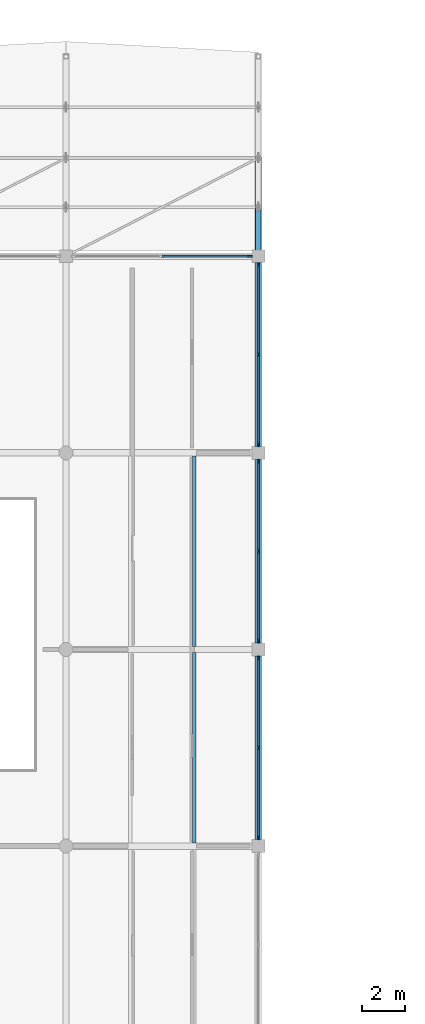
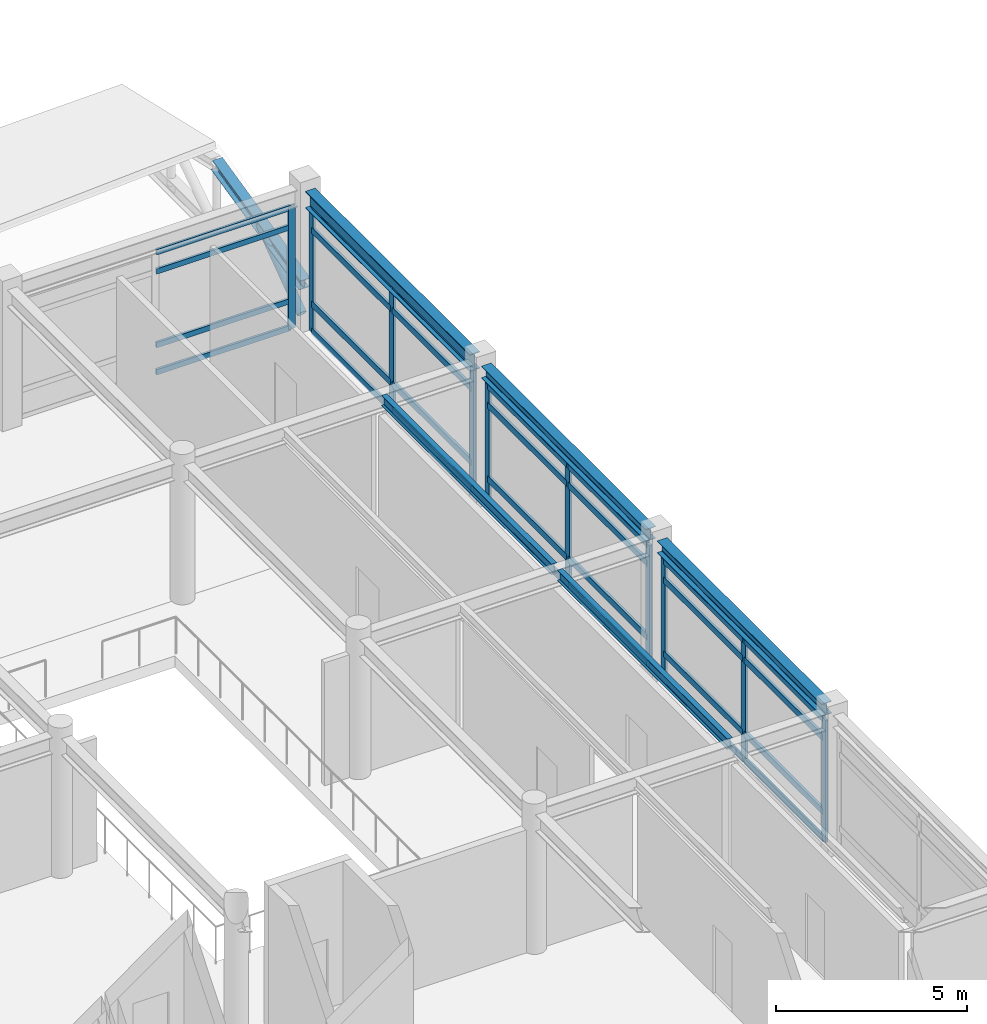
# One storey, part 26 of 61: 40 members, 5 beams, 4 elements without a shape of their own.
"""IFC4 building model written with IfcOpenShell, lengths in metres."""

from ifc_helpers import new_model, si_unit, direction, frame, origin, origin_2d, place, context, subcontext, project, spatial, rectangle, hollow_circle, i_section, extrude, material, material_profile, profile_set, type_object, element, aggregate, save


model = new_model("IFC4")

# Units and contexts
model_context = context("Model", 3, precision=1e-05, world=origin(), true_north=direction((0.0, 1.0)))
body_context = subcontext(model_context, "Body", "Model", "MODEL_VIEW")
ifc_project = project(units=[si_unit("LENGTHUNIT", "METRE"), si_unit("AREAUNIT", "SQUARE_METRE"), si_unit("VOLUMEUNIT", "CUBIC_METRE"), si_unit("PLANEANGLEUNIT", "RADIAN"), si_unit("MASSUNIT", "GRAM", prefix="KILO")], contexts=[model_context])

# Site, building, storey
site_placement = place(None, origin())
site = spatial("IfcSite", under=ifc_project, at=site_placement, CompositionType="ELEMENT")
building_placement = place(site_placement, origin())
building = spatial("IfcBuilding", under=site, at=building_placement, Name="Bozkorgan Art Gallery", CompositionType="ELEMENT")
storey_placement = place(building_placement, frame((0.0, 0.0, 10.199951171875)))
storey = spatial("IfcBuildingStorey", under=building, at=storey_placement, Name="L02", CompositionType="ELEMENT", Elevation=10.199951171875)

# Beams
ifc_material_1 = material(Name="Steel S355J2", Category="steel")
ifc_material_profile_1 = material_profile(ifc_material_1, i_section(OverallWidth=0.300048828125, OverallDepth=0.5400390625, WebThickness=0.012451171875, FlangeThickness=0.02392578125, FilletRadius=0.027099609375, at=origin_2d()), Name="HEA 550")
ifc_profile_set_1 = profile_set([ifc_material_profile_1], Name="Steel S355J2")
beam_type_1 = type_object("IfcBeamType", Name="BEAM-BM-35", PredefinedType="BEAM", material=ifc_profile_set_1)
beam_1_placement = place(storey_placement, frame((101.0, 84.699951171875, 4.2099609375), z_axis=(0.0, 1.0, 0.0), x_axis=(-1.0, 0.0, 0.0)))
element("IfcBeam", 1, at=beam_1_placement, inside=storey, type_object=beam_type_1, Name="V4 L02 beam Y (101, 84.4-93.6)", PredefinedType="BEAM", context=body_context, shape_type="SweptSolid", body=[
    extrude(i_section(OverallWidth=0.300048828125, OverallDepth=0.5400390625, WebThickness=0.012451171875, FlangeThickness=0.02392578125, FilletRadius=0.027099609375, at=origin_2d()), origin(), (0.0, 0.0, 1.0), 8.60009765625),
])
ifc_material_profile_2 = material_profile(ifc_material_1, i_section(OverallWidth=0.159912109375, OverallDepth=0.330078125, WebThickness=0.007568359375, FlangeThickness=0.011474609375, FilletRadius=0.01806640625, at=origin_2d()), Name="IPE 330")
ifc_profile_set_2 = profile_set([ifc_material_profile_2], Name="Steel S355J2")
beam_type_2 = type_object("IfcBeamType", Name="BEAM-JS-33", PredefinedType="JOIST", material=ifc_profile_set_2)
beam_2_placement = place(storey_placement, frame((98.0, 66.14990234375, 4.31494140625), z_axis=(0.0, 1.0, 0.0), x_axis=(-1.0, 0.0, 0.0)))
element("IfcBeam", 2, at=beam_2_placement, inside=storey, type_object=beam_type_2, Name="V4 L02 secondary joist (92-101, 66.0-75.2) #2", PredefinedType="JOIST", context=body_context, shape_type="SweptSolid", body=[
    extrude(i_section(OverallWidth=0.159912109375, OverallDepth=0.330078125, WebThickness=0.007568359375, FlangeThickness=0.011474609375, FilletRadius=0.01806640625, at=origin_2d()), origin(), (0.0, 0.0, 1.0), 8.900146484375),
])
beam_3_placement = place(storey_placement, frame((98.0, 75.35009765625, 4.31494140625), z_axis=(0.0, 1.0, 0.0), x_axis=(-1.0, 0.0, 0.0)))
element("IfcBeam", 3, at=beam_3_placement, inside=storey, type_object=beam_type_2, Name="V4 L02 secondary joist (92-101, 75.2-84.4) #2", PredefinedType="JOIST", context=body_context, shape_type="SweptSolid", body=[
    extrude(i_section(OverallWidth=0.159912109375, OverallDepth=0.330078125, WebThickness=0.007568359375, FlangeThickness=0.011474609375, FilletRadius=0.01806640625, at=origin_2d()), origin(), (0.0, 0.0, 1.0), 8.89990234375),
])
ifc_material_profile_3 = material_profile(ifc_material_1, i_section(OverallWidth=0.300048828125, OverallDepth=0.389892578125, WebThickness=0.010986328125, FlangeThickness=0.01904296875, FilletRadius=0.027099609375, at=origin_2d()), Name="HEA 400")
ifc_profile_set_3 = profile_set([ifc_material_profile_3], Name="Steel S355J2")
beam_type_3 = type_object("IfcBeamType", Name="BEAM-SP-65", PredefinedType="SPANDREL", material=ifc_profile_set_3)
beam_4_placement = place(storey_placement, frame((101.0, 66.300048828125, 4.28515625), z_axis=(0.0, 1.0, 0.0), x_axis=(-1.0, 0.0, 0.0)))
element("IfcBeam", 4, at=beam_4_placement, inside=storey, type_object=beam_type_3, Name="V4 L02 spandrel Y (101, 66.0-75.2)", PredefinedType="SPANDREL", context=body_context, shape_type="SweptSolid", body=[
    extrude(i_section(OverallWidth=0.300048828125, OverallDepth=0.389892578125, WebThickness=0.010986328125, FlangeThickness=0.01904296875, FilletRadius=0.027099609375, at=origin_2d()), origin(), (0.0, 0.0, 1.0), 8.599853515625),
])
beam_5_placement = place(storey_placement, frame((101.0, 75.5, 4.28515625), z_axis=(0.0, 1.0, 0.0), x_axis=(-1.0, 0.0, 0.0)))
element("IfcBeam", 5, at=beam_5_placement, inside=storey, type_object=beam_type_3, Name="V4 L02 spandrel Y (101, 75.2-84.4)", PredefinedType="SPANDREL", context=body_context, shape_type="SweptSolid", body=[
    extrude(i_section(OverallWidth=0.300048828125, OverallDepth=0.389892578125, WebThickness=0.010986328125, FlangeThickness=0.01904296875, FilletRadius=0.027099609375, at=origin_2d()), origin(), (0.0, 0.0, 1.0), 8.60009765625),
])

# Curtain wall, member
ifc_material_2 = material(Name="Anodised Bronze Aluminium", Category="aluminium")
curtain_wall_type_1 = type_object("IfcCurtainWallType", Name="CW-CW-65", PredefinedType="NOTDEFINED", material=ifc_material_2)
curtain_wall_1_placement = place(storey_placement, origin())
curtain_wall_1 = element("IfcCurtainWall", 6, at=curtain_wall_1_placement, inside=storey, type_object=curtain_wall_type_1, Name="L02 unitised curtain wall CW-V4-L02-1N-06", PredefinedType="NOTDEFINED")
ifc_material_profile_4 = material_profile(ifc_material_2, rectangle(XDim=0.074951171875, YDim=0.219970703125, at=origin_2d()), Name="ALU MULLION 75x220")
ifc_profile_set_4 = profile_set([ifc_material_profile_4], Name="Anodised Bronze Aluminium")
member_type_1 = type_object("IfcMemberType", Name="CWM-02", PredefinedType="MULLION", material=ifc_profile_set_4)
member_1_placement = place(storey_placement, frame((100.597412109375, 93.60009765625, 0.02001953125), z_axis=(0.0, 0.0, 1.0), x_axis=(0.0, 1.0, 0.0)))
member_1 = element("IfcMember", 7, at=member_1_placement, type_object=member_type_1, Name="CW-65 mullion 3", PredefinedType="MULLION", context=body_context, shape_type="SweptSolid", body=[
    extrude(rectangle(XDim=0.074951171875, YDim=0.219970703125, at=origin_2d()), origin(), (0.0, 0.0, 1.0), 3.905029296875),
])

# Curtain wall, members
curtain_wall_type_2 = type_object("IfcCurtainWallType", Name="CW-CW-99", PredefinedType="NOTDEFINED", material=ifc_material_2)
curtain_wall_2_placement = place(storey_placement, origin())
curtain_wall_2 = element("IfcCurtainWall", 8, at=curtain_wall_2_placement, inside=storey, type_object=curtain_wall_type_2, Name="L02 unitised curtain wall CW-V4-L02-1E-14", PredefinedType="NOTDEFINED")
member_2_placement = place(storey_placement, frame((101.0, 66.402587890625, 0.02001953125), z_axis=(0.0, 0.0, 1.0), x_axis=(-1.0, 0.0, 0.0)))
member_2 = element("IfcMember", 9, at=member_2_placement, type_object=member_type_1, Name="CW-99 mullion 1", PredefinedType="MULLION", context=body_context, shape_type="SweptSolid", body=[
    extrude(rectangle(XDim=0.074951171875, YDim=0.219970703125, at=origin_2d()), origin(), (0.0, 0.0, 1.0), 3.905029296875),
])
member_3_placement = place(storey_placement, frame((101.0, 70.60009765625, 0.02001953125), z_axis=(0.0, 0.0, 1.0), x_axis=(-1.0, 0.0, 0.0)))
member_3 = element("IfcMember", 10, at=member_3_placement, type_object=member_type_1, Name="CW-99 mullion 2", PredefinedType="MULLION", context=body_context, shape_type="SweptSolid", body=[
    extrude(rectangle(XDim=0.074951171875, YDim=0.219970703125, at=origin_2d()), origin(), (0.0, 0.0, 1.0), 3.905029296875),
])
member_4_placement = place(storey_placement, frame((101.0, 74.797607421875, 0.02001953125), z_axis=(0.0, 0.0, 1.0), x_axis=(-1.0, 0.0, 0.0)))
member_4 = element("IfcMember", 11, at=member_4_placement, type_object=member_type_1, Name="CW-99 mullion 3", PredefinedType="MULLION", context=body_context, shape_type="SweptSolid", body=[
    extrude(rectangle(XDim=0.074951171875, YDim=0.219970703125, at=origin_2d()), origin(), (0.0, 0.0, 1.0), 3.905029296875),
])

curtain_wall_3_placement = place(storey_placement, origin())
curtain_wall_3 = element("IfcCurtainWall", 12, at=curtain_wall_3_placement, inside=storey, type_object=curtain_wall_type_2, Name="L02 unitised curtain wall CW-V4-L02-1E-16", PredefinedType="NOTDEFINED")
member_5_placement = place(storey_placement, frame((101.0, 75.6025390625, 0.02001953125), z_axis=(0.0, 0.0, 1.0), x_axis=(-1.0, 0.0, 0.0)))
member_5 = element("IfcMember", 13, at=member_5_placement, type_object=member_type_1, Name="CW-99 mullion 1", PredefinedType="MULLION", context=body_context, shape_type="SweptSolid", body=[
    extrude(rectangle(XDim=0.074951171875, YDim=0.219970703125, at=origin_2d()), origin(), (0.0, 0.0, 1.0), 3.905029296875),
])
member_6_placement = place(storey_placement, frame((101.0, 79.800048828125, 0.02001953125), z_axis=(0.0, 0.0, 1.0), x_axis=(-1.0, 0.0, 0.0)))
member_6 = element("IfcMember", 14, at=member_6_placement, type_object=member_type_1, Name="CW-99 mullion 2", PredefinedType="MULLION", context=body_context, shape_type="SweptSolid", body=[
    extrude(rectangle(XDim=0.074951171875, YDim=0.219970703125, at=origin_2d()), origin(), (0.0, 0.0, 1.0), 3.905029296875),
])
member_7_placement = place(storey_placement, frame((101.0, 83.99755859375, 0.02001953125), z_axis=(0.0, 0.0, 1.0), x_axis=(-1.0, 0.0, 0.0)))
member_7 = element("IfcMember", 15, at=member_7_placement, type_object=member_type_1, Name="CW-99 mullion 3", PredefinedType="MULLION", context=body_context, shape_type="SweptSolid", body=[
    extrude(rectangle(XDim=0.074951171875, YDim=0.219970703125, at=origin_2d()), origin(), (0.0, 0.0, 1.0), 3.905029296875),
])

curtain_wall_4_placement = place(storey_placement, origin())
curtain_wall_4 = element("IfcCurtainWall", 16, at=curtain_wall_4_placement, inside=storey, type_object=curtain_wall_type_2, Name="L02 unitised curtain wall CW-V4-L02-1E-18", PredefinedType="NOTDEFINED")
member_8_placement = place(storey_placement, frame((101.0, 84.802490234375, 0.02001953125), z_axis=(0.0, 0.0, 1.0), x_axis=(-1.0, 0.0, 0.0)))
member_8 = element("IfcMember", 17, at=member_8_placement, type_object=member_type_1, Name="CW-99 mullion 1", PredefinedType="MULLION", context=body_context, shape_type="SweptSolid", body=[
    extrude(rectangle(XDim=0.074951171875, YDim=0.219970703125, at=origin_2d()), origin(), (0.0, 0.0, 1.0), 3.905029296875),
])
member_9_placement = place(storey_placement, frame((101.0, 89.0, 0.02001953125), z_axis=(0.0, 0.0, 1.0), x_axis=(-1.0, 0.0, 0.0)))
member_9 = element("IfcMember", 18, at=member_9_placement, type_object=member_type_1, Name="CW-99 mullion 2", PredefinedType="MULLION", context=body_context, shape_type="SweptSolid", body=[
    extrude(rectangle(XDim=0.074951171875, YDim=0.219970703125, at=origin_2d()), origin(), (0.0, 0.0, 1.0), 3.905029296875),
])
member_10_placement = place(storey_placement, frame((101.0, 93.197509765625, 0.02001953125), z_axis=(0.0, 0.0, 1.0), x_axis=(-1.0, 0.0, 0.0)))
member_10 = element("IfcMember", 19, at=member_10_placement, type_object=member_type_1, Name="CW-99 mullion 3", PredefinedType="MULLION", context=body_context, shape_type="SweptSolid", body=[
    extrude(rectangle(XDim=0.074951171875, YDim=0.219970703125, at=origin_2d()), origin(), (0.0, 0.0, 1.0), 3.905029296875),
])

# Member
ifc_material_profile_5 = material_profile(ifc_material_2, rectangle(XDim=0.074951171875, YDim=0.169921875, at=origin_2d()), Name="ALU TRANSOM 75x170")
ifc_profile_set_5 = profile_set([ifc_material_profile_5], Name="Anodised Bronze Aluminium")
member_type_2 = type_object("IfcMemberType", Name="CWT-02", PredefinedType="USERDEFINED", material=ifc_profile_set_5)
member_11_placement = place(storey_placement, frame((96.512451171875, 93.60009765625, 0.0576171875), z_axis=(1.0, 0.0, 0.0), x_axis=(0.0, 1.0, 0.0)))
member_11 = element("IfcMember", 20, at=member_11_placement, type_object=member_type_2, Name="CW-65 transom 2.1", ObjectType="TRANSOM", PredefinedType="USERDEFINED", context=body_context, shape_type="SweptSolid", body=[
    extrude(rectangle(XDim=0.074951171875, YDim=0.169921875, at=origin_2d()), origin(), (0.0, 0.0, 1.0), 4.047607421875),
])

member_12_placement = place(storey_placement, frame((96.512451171875, 93.60009765625, 0.920166015625), z_axis=(1.0, 0.0, 0.0), x_axis=(0.0, 1.0, 0.0)))
member_12 = element("IfcMember", 21, at=member_12_placement, type_object=member_type_2, Name="CW-65 transom 2.2", ObjectType="TRANSOM", PredefinedType="USERDEFINED", context=body_context, shape_type="SweptSolid", body=[
    extrude(rectangle(XDim=0.074951171875, YDim=0.169921875, at=origin_2d()), origin(), (0.0, 0.0, 1.0), 4.047607421875),
])

member_13_placement = place(storey_placement, frame((96.512451171875, 93.60009765625, 3.275146484375), z_axis=(1.0, 0.0, 0.0), x_axis=(0.0, 1.0, 0.0)))
member_13 = element("IfcMember", 22, at=member_13_placement, type_object=member_type_2, Name="CW-65 transom 2.3", ObjectType="TRANSOM", PredefinedType="USERDEFINED", context=body_context, shape_type="SweptSolid", body=[
    extrude(rectangle(XDim=0.074951171875, YDim=0.169921875, at=origin_2d()), origin(), (0.0, 0.0, 1.0), 4.047607421875),
])

member_14_placement = place(storey_placement, frame((96.512451171875, 93.60009765625, 3.887451171875), z_axis=(1.0, 0.0, 0.0), x_axis=(0.0, 1.0, 0.0)))
member_14 = element("IfcMember", 23, at=member_14_placement, type_object=member_type_2, Name="CW-65 transom 2.4", ObjectType="TRANSOM", PredefinedType="USERDEFINED", context=body_context, shape_type="SweptSolid", body=[
    extrude(rectangle(XDim=0.074951171875, YDim=0.169921875, at=origin_2d()), origin(), (0.0, 0.0, 1.0), 4.047607421875),
])

aggregate(curtain_wall_1, [member_1, member_11, member_12, member_13, member_14])

ifc_material_profile_6 = material_profile(ifc_material_2, rectangle(XDim=0.080078125, YDim=0.199951171875, at=origin_2d()), Name="ALU TRANSOM 80x200")
ifc_profile_set_6 = profile_set([ifc_material_profile_6], Name="Anodised Bronze Aluminium")
member_type_3 = type_object("IfcMemberType", Name="CWT-03", PredefinedType="USERDEFINED", material=ifc_profile_set_6)
member_15_placement = place(storey_placement, frame((101.0, 66.43994140625, 0.06005859375), z_axis=(0.0, 1.0, 0.0), x_axis=(-1.0, 0.0, 0.0)))
member_15 = element("IfcMember", 24, at=member_15_placement, type_object=member_type_3, Name="CW-99 transom 1.1", ObjectType="TRANSOM", PredefinedType="USERDEFINED", context=body_context, shape_type="SweptSolid", body=[
    extrude(rectangle(XDim=0.080078125, YDim=0.199951171875, at=origin_2d()), origin(), (0.0, 0.0, 1.0), 4.12255859375),
])

member_16_placement = place(storey_placement, frame((101.0, 66.43994140625, 0.920166015625), z_axis=(0.0, 1.0, 0.0), x_axis=(-1.0, 0.0, 0.0)))
member_16 = element("IfcMember", 25, at=member_16_placement, type_object=member_type_3, Name="CW-99 transom 1.2", ObjectType="TRANSOM", PredefinedType="USERDEFINED", context=body_context, shape_type="SweptSolid", body=[
    extrude(rectangle(XDim=0.080078125, YDim=0.199951171875, at=origin_2d()), origin(), (0.0, 0.0, 1.0), 4.12255859375),
])

member_17_placement = place(storey_placement, frame((101.0, 66.43994140625, 3.275146484375), z_axis=(0.0, 1.0, 0.0), x_axis=(-1.0, 0.0, 0.0)))
member_17 = element("IfcMember", 26, at=member_17_placement, type_object=member_type_3, Name="CW-99 transom 1.3", ObjectType="TRANSOM", PredefinedType="USERDEFINED", context=body_context, shape_type="SweptSolid", body=[
    extrude(rectangle(XDim=0.080078125, YDim=0.199951171875, at=origin_2d()), origin(), (0.0, 0.0, 1.0), 4.12255859375),
])

member_18_placement = place(storey_placement, frame((101.0, 66.43994140625, 3.885009765625), z_axis=(0.0, 1.0, 0.0), x_axis=(-1.0, 0.0, 0.0)))
member_18 = element("IfcMember", 27, at=member_18_placement, type_object=member_type_3, Name="CW-99 transom 1.4", ObjectType="TRANSOM", PredefinedType="USERDEFINED", context=body_context, shape_type="SweptSolid", body=[
    extrude(rectangle(XDim=0.080078125, YDim=0.199951171875, at=origin_2d()), origin(), (0.0, 0.0, 1.0), 4.12255859375),
])

member_19_placement = place(storey_placement, frame((101.0, 70.637451171875, 0.06005859375), z_axis=(0.0, 1.0, 0.0), x_axis=(-1.0, 0.0, 0.0)))
member_19 = element("IfcMember", 28, at=member_19_placement, type_object=member_type_3, Name="CW-99 transom 2.1", ObjectType="TRANSOM", PredefinedType="USERDEFINED", context=body_context, shape_type="SweptSolid", body=[
    extrude(rectangle(XDim=0.080078125, YDim=0.199951171875, at=origin_2d()), origin(), (0.0, 0.0, 1.0), 4.12255859375),
])

member_20_placement = place(storey_placement, frame((101.0, 70.637451171875, 0.920166015625), z_axis=(0.0, 1.0, 0.0), x_axis=(-1.0, 0.0, 0.0)))
member_20 = element("IfcMember", 29, at=member_20_placement, type_object=member_type_3, Name="CW-99 transom 2.2", ObjectType="TRANSOM", PredefinedType="USERDEFINED", context=body_context, shape_type="SweptSolid", body=[
    extrude(rectangle(XDim=0.080078125, YDim=0.199951171875, at=origin_2d()), origin(), (0.0, 0.0, 1.0), 4.12255859375),
])

member_21_placement = place(storey_placement, frame((101.0, 70.637451171875, 3.275146484375), z_axis=(0.0, 1.0, 0.0), x_axis=(-1.0, 0.0, 0.0)))
member_21 = element("IfcMember", 30, at=member_21_placement, type_object=member_type_3, Name="CW-99 transom 2.3", ObjectType="TRANSOM", PredefinedType="USERDEFINED", context=body_context, shape_type="SweptSolid", body=[
    extrude(rectangle(XDim=0.080078125, YDim=0.199951171875, at=origin_2d()), origin(), (0.0, 0.0, 1.0), 4.12255859375),
])

member_22_placement = place(storey_placement, frame((101.0, 70.637451171875, 3.885009765625), z_axis=(0.0, 1.0, 0.0), x_axis=(-1.0, 0.0, 0.0)))
member_22 = element("IfcMember", 31, at=member_22_placement, type_object=member_type_3, Name="CW-99 transom 2.4", ObjectType="TRANSOM", PredefinedType="USERDEFINED", context=body_context, shape_type="SweptSolid", body=[
    extrude(rectangle(XDim=0.080078125, YDim=0.199951171875, at=origin_2d()), origin(), (0.0, 0.0, 1.0), 4.12255859375),
])

aggregate(curtain_wall_2, [member_2, member_3, member_4, member_15, member_16, member_17, member_18, member_19, member_20, member_21, member_22])

member_23_placement = place(storey_placement, frame((101.0, 75.639892578125, 0.06005859375), z_axis=(0.0, 1.0, 0.0), x_axis=(-1.0, 0.0, 0.0)))
member_23 = element("IfcMember", 32, at=member_23_placement, type_object=member_type_3, Name="CW-99 transom 1.1", ObjectType="TRANSOM", PredefinedType="USERDEFINED", context=body_context, shape_type="SweptSolid", body=[
    extrude(rectangle(XDim=0.080078125, YDim=0.199951171875, at=origin_2d()), origin(), (0.0, 0.0, 1.0), 4.12255859375),
])

member_24_placement = place(storey_placement, frame((101.0, 75.639892578125, 0.920166015625), z_axis=(0.0, 1.0, 0.0), x_axis=(-1.0, 0.0, 0.0)))
member_24 = element("IfcMember", 33, at=member_24_placement, type_object=member_type_3, Name="CW-99 transom 1.2", ObjectType="TRANSOM", PredefinedType="USERDEFINED", context=body_context, shape_type="SweptSolid", body=[
    extrude(rectangle(XDim=0.080078125, YDim=0.199951171875, at=origin_2d()), origin(), (0.0, 0.0, 1.0), 4.12255859375),
])

member_25_placement = place(storey_placement, frame((101.0, 75.639892578125, 3.275146484375), z_axis=(0.0, 1.0, 0.0), x_axis=(-1.0, 0.0, 0.0)))
member_25 = element("IfcMember", 34, at=member_25_placement, type_object=member_type_3, Name="CW-99 transom 1.3", ObjectType="TRANSOM", PredefinedType="USERDEFINED", context=body_context, shape_type="SweptSolid", body=[
    extrude(rectangle(XDim=0.080078125, YDim=0.199951171875, at=origin_2d()), origin(), (0.0, 0.0, 1.0), 4.12255859375),
])

member_26_placement = place(storey_placement, frame((101.0, 75.639892578125, 3.885009765625), z_axis=(0.0, 1.0, 0.0), x_axis=(-1.0, 0.0, 0.0)))
member_26 = element("IfcMember", 35, at=member_26_placement, type_object=member_type_3, Name="CW-99 transom 1.4", ObjectType="TRANSOM", PredefinedType="USERDEFINED", context=body_context, shape_type="SweptSolid", body=[
    extrude(rectangle(XDim=0.080078125, YDim=0.199951171875, at=origin_2d()), origin(), (0.0, 0.0, 1.0), 4.12255859375),
])

member_27_placement = place(storey_placement, frame((101.0, 79.83740234375, 0.06005859375), z_axis=(0.0, 1.0, 0.0), x_axis=(-1.0, 0.0, 0.0)))
member_27 = element("IfcMember", 36, at=member_27_placement, type_object=member_type_3, Name="CW-99 transom 2.1", ObjectType="TRANSOM", PredefinedType="USERDEFINED", context=body_context, shape_type="SweptSolid", body=[
    extrude(rectangle(XDim=0.080078125, YDim=0.199951171875, at=origin_2d()), origin(), (0.0, 0.0, 1.0), 4.12255859375),
])

member_28_placement = place(storey_placement, frame((101.0, 79.83740234375, 0.920166015625), z_axis=(0.0, 1.0, 0.0), x_axis=(-1.0, 0.0, 0.0)))
member_28 = element("IfcMember", 37, at=member_28_placement, type_object=member_type_3, Name="CW-99 transom 2.2", ObjectType="TRANSOM", PredefinedType="USERDEFINED", context=body_context, shape_type="SweptSolid", body=[
    extrude(rectangle(XDim=0.080078125, YDim=0.199951171875, at=origin_2d()), origin(), (0.0, 0.0, 1.0), 4.12255859375),
])

member_29_placement = place(storey_placement, frame((101.0, 79.83740234375, 3.275146484375), z_axis=(0.0, 1.0, 0.0), x_axis=(-1.0, 0.0, 0.0)))
member_29 = element("IfcMember", 38, at=member_29_placement, type_object=member_type_3, Name="CW-99 transom 2.3", ObjectType="TRANSOM", PredefinedType="USERDEFINED", context=body_context, shape_type="SweptSolid", body=[
    extrude(rectangle(XDim=0.080078125, YDim=0.199951171875, at=origin_2d()), origin(), (0.0, 0.0, 1.0), 4.12255859375),
])

member_30_placement = place(storey_placement, frame((101.0, 79.83740234375, 3.885009765625), z_axis=(0.0, 1.0, 0.0), x_axis=(-1.0, 0.0, 0.0)))
member_30 = element("IfcMember", 39, at=member_30_placement, type_object=member_type_3, Name="CW-99 transom 2.4", ObjectType="TRANSOM", PredefinedType="USERDEFINED", context=body_context, shape_type="SweptSolid", body=[
    extrude(rectangle(XDim=0.080078125, YDim=0.199951171875, at=origin_2d()), origin(), (0.0, 0.0, 1.0), 4.12255859375),
])

aggregate(curtain_wall_3, [member_5, member_6, member_7, member_23, member_24, member_25, member_26, member_27, member_28, member_29, member_30])

member_31_placement = place(storey_placement, frame((101.0, 84.840087890625, 0.06005859375), z_axis=(0.0, 1.0, 0.0), x_axis=(-1.0, 0.0, 0.0)))
member_31 = element("IfcMember", 40, at=member_31_placement, type_object=member_type_3, Name="CW-99 transom 1.1", ObjectType="TRANSOM", PredefinedType="USERDEFINED", context=body_context, shape_type="SweptSolid", body=[
    extrude(rectangle(XDim=0.080078125, YDim=0.199951171875, at=origin_2d()), origin(), (0.0, 0.0, 1.0), 4.122314453125),
])

member_32_placement = place(storey_placement, frame((101.0, 84.840087890625, 0.920166015625), z_axis=(0.0, 1.0, 0.0), x_axis=(-1.0, 0.0, 0.0)))
member_32 = element("IfcMember", 41, at=member_32_placement, type_object=member_type_3, Name="CW-99 transom 1.2", ObjectType="TRANSOM", PredefinedType="USERDEFINED", context=body_context, shape_type="SweptSolid", body=[
    extrude(rectangle(XDim=0.080078125, YDim=0.199951171875, at=origin_2d()), origin(), (0.0, 0.0, 1.0), 4.122314453125),
])

member_33_placement = place(storey_placement, frame((101.0, 84.840087890625, 3.275146484375), z_axis=(0.0, 1.0, 0.0), x_axis=(-1.0, 0.0, 0.0)))
member_33 = element("IfcMember", 42, at=member_33_placement, type_object=member_type_3, Name="CW-99 transom 1.3", ObjectType="TRANSOM", PredefinedType="USERDEFINED", context=body_context, shape_type="SweptSolid", body=[
    extrude(rectangle(XDim=0.080078125, YDim=0.199951171875, at=origin_2d()), origin(), (0.0, 0.0, 1.0), 4.122314453125),
])

member_34_placement = place(storey_placement, frame((101.0, 84.840087890625, 3.885009765625), z_axis=(0.0, 1.0, 0.0), x_axis=(-1.0, 0.0, 0.0)))
member_34 = element("IfcMember", 43, at=member_34_placement, type_object=member_type_3, Name="CW-99 transom 1.4", ObjectType="TRANSOM", PredefinedType="USERDEFINED", context=body_context, shape_type="SweptSolid", body=[
    extrude(rectangle(XDim=0.080078125, YDim=0.199951171875, at=origin_2d()), origin(), (0.0, 0.0, 1.0), 4.122314453125),
])

member_35_placement = place(storey_placement, frame((101.0, 89.03759765625, 0.06005859375), z_axis=(0.0, 1.0, 0.0), x_axis=(-1.0, 0.0, 0.0)))
member_35 = element("IfcMember", 44, at=member_35_placement, type_object=member_type_3, Name="CW-99 transom 2.1", ObjectType="TRANSOM", PredefinedType="USERDEFINED", context=body_context, shape_type="SweptSolid", body=[
    extrude(rectangle(XDim=0.080078125, YDim=0.199951171875, at=origin_2d()), origin(), (0.0, 0.0, 1.0), 4.122314453125),
])

member_36_placement = place(storey_placement, frame((101.0, 89.03759765625, 0.920166015625), z_axis=(0.0, 1.0, 0.0), x_axis=(-1.0, 0.0, 0.0)))
member_36 = element("IfcMember", 45, at=member_36_placement, type_object=member_type_3, Name="CW-99 transom 2.2", ObjectType="TRANSOM", PredefinedType="USERDEFINED", context=body_context, shape_type="SweptSolid", body=[
    extrude(rectangle(XDim=0.080078125, YDim=0.199951171875, at=origin_2d()), origin(), (0.0, 0.0, 1.0), 4.122314453125),
])

member_37_placement = place(storey_placement, frame((101.0, 89.03759765625, 3.275146484375), z_axis=(0.0, 1.0, 0.0), x_axis=(-1.0, 0.0, 0.0)))
member_37 = element("IfcMember", 46, at=member_37_placement, type_object=member_type_3, Name="CW-99 transom 2.3", ObjectType="TRANSOM", PredefinedType="USERDEFINED", context=body_context, shape_type="SweptSolid", body=[
    extrude(rectangle(XDim=0.080078125, YDim=0.199951171875, at=origin_2d()), origin(), (0.0, 0.0, 1.0), 4.122314453125),
])

member_38_placement = place(storey_placement, frame((101.0, 89.03759765625, 3.885009765625), z_axis=(0.0, 1.0, 0.0), x_axis=(-1.0, 0.0, 0.0)))
member_38 = element("IfcMember", 47, at=member_38_placement, type_object=member_type_3, Name="CW-99 transom 2.4", ObjectType="TRANSOM", PredefinedType="USERDEFINED", context=body_context, shape_type="SweptSolid", body=[
    extrude(rectangle(XDim=0.080078125, YDim=0.199951171875, at=origin_2d()), origin(), (0.0, 0.0, 1.0), 4.122314453125),
])

aggregate(curtain_wall_4, [member_8, member_9, member_10, member_31, member_32, member_33, member_34, member_35, member_36, member_37, member_38])

# Members
ifc_material_profile_7 = material_profile(ifc_material_1, i_section(OverallWidth=0.300048828125, OverallDepth=0.35009765625, WebThickness=0.010009765625, FlangeThickness=0.017578125, FilletRadius=0.027099609375, at=origin_2d()), Name="HEA 360")
ifc_profile_set_7 = profile_set([ifc_material_profile_7], Name="Steel S355J2")
member_type_4 = type_object("IfcMemberType", Name="MEMBER-TC-31", PredefinedType="CHORD", material=ifc_profile_set_7)
member_39_placement = place(storey_placement, frame((101.0, 93.60009765625, 1.285400390625), z_axis=(0.0, 0.974367656999, 0.224961483358), x_axis=(-1.0, 0.0, 0.0)))
element("IfcMember", 48, at=member_39_placement, inside=storey, type_object=member_type_4, Name="ROOF-V4-STEP2 roof truss 4 south top chord", PredefinedType="CHORD", context=body_context, shape_type="SweptSolid", body=[
    extrude(i_section(OverallWidth=0.300048828125, OverallDepth=0.35009765625, WebThickness=0.010009765625, FlangeThickness=0.017578125, FilletRadius=0.027099609375, at=origin_2d()), origin(), (0.0, 0.0, 1.0), 4.720947265625),
])
ifc_material_profile_8 = material_profile(ifc_material_1, hollow_circle(Radius=0.136474609375, WallThickness=0.012451171875, at=origin_2d()), Name="CHS 273x12.5")
ifc_profile_set_8 = profile_set([ifc_material_profile_8], Name="Steel S355J2")
member_type_5 = type_object("IfcMemberType", Name="MEMBER-TW-28", PredefinedType="BRACE", material=ifc_profile_set_8)
member_40_placement = place(storey_placement, frame((101.0, 93.75, 0.25), z_axis=(0.0, 0.808227759707, 0.588870009798), x_axis=(-1.0, 0.0, 0.0)))
element("IfcMember", 49, at=member_40_placement, inside=storey, type_object=member_type_5, Name="ROOF-V4-STEP2 roof truss 4 diagonal 1", PredefinedType="BRACE", context=body_context, shape_type="SweptSolid", body=[
    extrude(hollow_circle(Radius=0.136474609375, WallThickness=0.012451171875, at=origin_2d()), origin(), (0.0, 0.0, 1.0), 2.659912109375),
])

save(model, "model.ifc")
